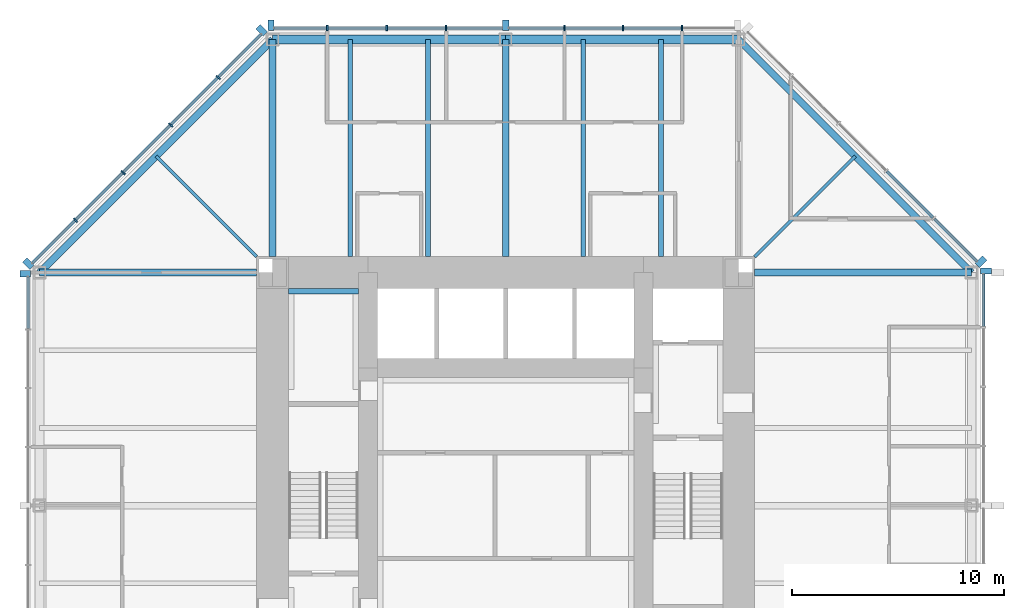
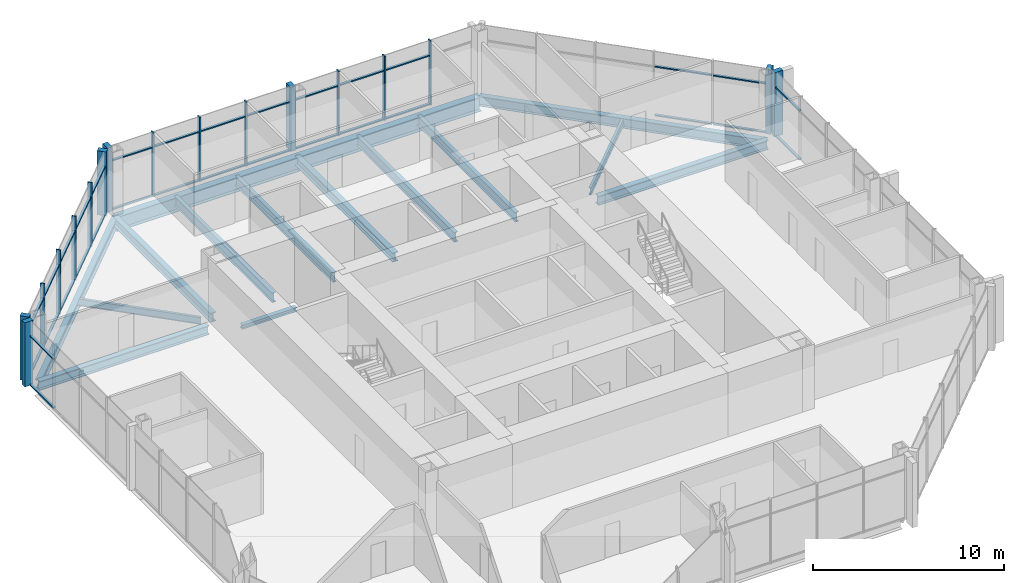
# One storey, part 5 of 12: 49 members, 15 beams, 5 elements without a shape of their own.
"""IFC4 building model written with IfcOpenShell, lengths in metres."""

from ifc_helpers import new_model, si_unit, direction, frame, origin, origin_2d, place, context, subcontext, project, spatial, rectangle, i_section, extrude, material, material_profile, profile_set, type_object, element, aggregate, save


model = new_model("IFC4")

# Units and contexts
model_context = context("Model", 3, precision=1e-05, world=origin(), true_north=direction((0.0, 1.0)))
body_context = subcontext(model_context, "Body", "Model", "MODEL_VIEW")
ifc_project = project(units=[si_unit("LENGTHUNIT", "METRE"), si_unit("AREAUNIT", "SQUARE_METRE"), si_unit("VOLUMEUNIT", "CUBIC_METRE"), si_unit("PLANEANGLEUNIT", "RADIAN"), si_unit("MASSUNIT", "GRAM", prefix="KILO")], contexts=[model_context])

# Site, building, storey
site_placement = place(None, origin())
site = spatial("IfcSite", under=ifc_project, at=site_placement, CompositionType="ELEMENT")
building_placement = place(site_placement, origin())
building = spatial("IfcBuilding", under=site, at=building_placement, Name="Trevanion Tower", CompositionType="ELEMENT")
storey_placement = place(building_placement, frame((0.0, 0.0, 158.199951171875)))
storey = spatial("IfcBuildingStorey", under=building, at=storey_placement, Name="L37", CompositionType="ELEMENT", Elevation=158.199951171875)

# Beams
ifc_material_1 = material(Name="Steel ASTM A992 Grade 50", Category="steel")
ifc_material_profile_1 = material_profile(ifc_material_1, i_section(OverallWidth=0.22900390625, OverallDepth=0.612060546875, WebThickness=0.011962890625, FlangeThickness=0.01953125, at=origin_2d()), Name="W24X84")
ifc_profile_set_1 = profile_set([ifc_material_profile_1], Name="Steel ASTM A992 Grade 50")
beam_type_1 = type_object("IfcBeamType", Name="B7 W24X84", PredefinedType="BEAM", material=ifc_profile_set_1)
for number, where, z_axis, x_axis, name in (
    (1, (7.333251953125, 11.75, -0.49609375), (0.0, 1.0, 0.0), (-1.0, 0.0, 0.0), "B7 L37"),
    (2, (3.666748046875, 11.75, -0.49609375), (0.0, 1.0, 0.0), (-1.0, 0.0, 0.0), "B7 L37"),
    (3, (-3.666748046875, 11.75, -0.49609375), (0.0, 1.0, 0.0), (-1.0, 0.0, 0.0), "B7 L37"),
    (4, (-7.333251953125, 11.75, -0.49609375), (0.0, 1.0, 0.0), (-1.0, 0.0, 0.0), "B7 L37"),
):
    element("IfcBeam", number, at=place(storey_placement, frame(where, z_axis=z_axis, x_axis=x_axis)), inside=storey, type_object=beam_type_1, Name=name, PredefinedType="BEAM", context=body_context, shape_type="SweptSolid", body=[
        extrude(i_section(OverallWidth=0.22900390625, OverallDepth=0.612060546875, WebThickness=0.011962890625, FlangeThickness=0.01953125, at=origin_2d()), origin(), (0.0, 0.0, 1.0), 10.25),
    ])
ifc_material_2 = material(Name="Steel ASTM A992 Grade 50", Category="steel")
ifc_material_profile_2 = material_profile(ifc_material_2, i_section(OverallWidth=0.15234375, OverallDepth=0.449462890625, WebThickness=0.007568359375, FlangeThickness=0.0107421875, at=origin_2d()), Name="W18X35")
ifc_profile_set_2 = profile_set([ifc_material_profile_2], Name="Steel ASTM A992 Grade 50")
beam_type_2 = type_object("IfcBeamType", Name="B8 W18X35", PredefinedType="BEAM", material=ifc_profile_set_2)
for number, where, z_axis, x_axis, name in (
    (5, (11.75, 11.75, -0.414794921875), (0.707106781187, 0.707106781187, 0.0), (-0.707106781187, 0.707106781187, 0.0), "B8 L37"),
    (6, (-11.75, 11.75, -0.414794921875), (-0.707106781187, 0.707106781187, 0.0), (-0.707106781187, -0.707106781187, 0.0), "B8 L37"),
):
    element("IfcBeam", number, at=place(storey_placement, frame(where, z_axis=z_axis, x_axis=x_axis)), inside=storey, type_object=beam_type_2, Name=name, PredefinedType="BEAM", context=body_context, shape_type="SweptSolid", body=[
        extrude(i_section(OverallWidth=0.15234375, OverallDepth=0.449462890625, WebThickness=0.007568359375, FlangeThickness=0.0107421875, at=origin_2d()), origin(), (0.0, 0.0, 1.0), 6.717529296875),
    ])

# Curtain wall, members
ifc_material_3 = material(Name="Aluminium and glass", Category="aluminium")
curtain_wall_type = type_object("IfcCurtainWallType", Name="CW2 curtain wall", PredefinedType="USERDEFINED", material=ifc_material_3)
curtain_wall_1_placement = place(storey_placement, origin())
curtain_wall_1 = element("IfcCurtainWall", 7, at=curtain_wall_1_placement, inside=storey, type_object=curtain_wall_type, Name="CW2 L37 2", ObjectType="UNITISED CURTAIN WALL", PredefinedType="USERDEFINED")
ifc_material_4 = material(Name="Aluminium extrusion, anodised bronze", Category="aluminium")
ifc_material_profile_3 = material_profile(ifc_material_4, rectangle(XDim=0.074951171875, YDim=0.25, at=origin_2d()), Name="CW2 mullion")
ifc_profile_set_3 = profile_set([ifc_material_profile_3], Name="Aluminium extrusion, anodised bronze")
member_type_1 = type_object("IfcMemberType", Name="CW2 mullion", PredefinedType="MULLION", material=ifc_profile_set_3)
member_1_placement = place(storey_placement, frame((8.323486328125, 22.550048828125, -0.18994140625), z_axis=(0.0, 0.0, 1.0), x_axis=(-1.0, 0.0, 0.0)))
member_1 = element("IfcMember", 8, at=member_1_placement, type_object=member_type_1, Name="CW2 mullion 2", PredefinedType="MULLION", context=body_context, shape_type="SweptSolid", body=[
    extrude(rectangle(XDim=0.074951171875, YDim=0.25, at=origin_2d()), origin(), (0.0, 0.0, 1.0), 4.10009765625),
])
member_2_placement = place(storey_placement, frame((5.548828125, 22.550048828125, -0.18994140625), z_axis=(0.0, 0.0, 1.0), x_axis=(-1.0, 0.0, 0.0)))
member_2 = element("IfcMember", 9, at=member_2_placement, type_object=member_type_1, Name="CW2 mullion 3", PredefinedType="MULLION", context=body_context, shape_type="SweptSolid", body=[
    extrude(rectangle(XDim=0.074951171875, YDim=0.25, at=origin_2d()), origin(), (0.0, 0.0, 1.0), 4.10009765625),
])
member_3_placement = place(storey_placement, frame((2.7744140625, 22.550048828125, -0.18994140625), z_axis=(0.0, 0.0, 1.0), x_axis=(-1.0, 0.0, 0.0)))
member_3 = element("IfcMember", 10, at=member_3_placement, type_object=member_type_1, Name="CW2 mullion 4", PredefinedType="MULLION", context=body_context, shape_type="SweptSolid", body=[
    extrude(rectangle(XDim=0.074951171875, YDim=0.25, at=origin_2d()), origin(), (0.0, 0.0, 1.0), 4.10009765625),
])
member_4_placement = place(storey_placement, frame((-2.806884765625, 22.550048828125, -0.18994140625), z_axis=(0.0, 0.0, 1.0), x_axis=(-1.0, 0.0, 0.0)))
member_4 = element("IfcMember", 11, at=member_4_placement, type_object=member_type_1, Name="CW2 mullion 6", PredefinedType="MULLION", context=body_context, shape_type="SweptSolid", body=[
    extrude(rectangle(XDim=0.074951171875, YDim=0.25, at=origin_2d()), origin(), (0.0, 0.0, 1.0), 4.10009765625),
])
member_5_placement = place(storey_placement, frame((-5.614013671875, 22.550048828125, -0.18994140625), z_axis=(0.0, 0.0, 1.0), x_axis=(-1.0, 0.0, 0.0)))
member_5 = element("IfcMember", 12, at=member_5_placement, type_object=member_type_1, Name="CW2 mullion 7", PredefinedType="MULLION", context=body_context, shape_type="SweptSolid", body=[
    extrude(rectangle(XDim=0.074951171875, YDim=0.25, at=origin_2d()), origin(), (0.0, 0.0, 1.0), 4.10009765625),
])
member_6_placement = place(storey_placement, frame((-8.4208984375, 22.550048828125, -0.18994140625), z_axis=(0.0, 0.0, 1.0), x_axis=(-1.0, 0.0, 0.0)))
member_6 = element("IfcMember", 13, at=member_6_placement, type_object=member_type_1, Name="CW2 mullion 8", PredefinedType="MULLION", context=body_context, shape_type="SweptSolid", body=[
    extrude(rectangle(XDim=0.074951171875, YDim=0.25, at=origin_2d()), origin(), (0.0, 0.0, 1.0), 4.10009765625),
])

curtain_wall_2_placement = place(storey_placement, origin())
curtain_wall_2 = element("IfcCurtainWall", 14, at=curtain_wall_2_placement, inside=storey, type_object=curtain_wall_type, Name="CW2 L37 3", ObjectType="UNITISED CURTAIN WALL", PredefinedType="USERDEFINED")
member_7_placement = place(storey_placement, frame((-13.56591796875, 20.2119140625, -0.18994140625), z_axis=(0.0, 0.0, 1.0), x_axis=(-0.707106781187, -0.707106781187, 0.0)))
member_7 = element("IfcMember", 15, at=member_7_placement, type_object=member_type_1, Name="CW2 mullion 2", PredefinedType="MULLION", context=body_context, shape_type="SweptSolid", body=[
    extrude(rectangle(XDim=0.074951171875, YDim=0.25, at=origin_2d()), origin(), (0.0, 0.0, 1.0), 4.10009765625),
])
member_8_placement = place(storey_placement, frame((-15.811767578125, 17.966064453125, -0.18994140625), z_axis=(0.0, 0.0, 1.0), x_axis=(-0.707106781187, -0.707106781187, 0.0)))
member_8 = element("IfcMember", 16, at=member_8_placement, type_object=member_type_1, Name="CW2 mullion 3", PredefinedType="MULLION", context=body_context, shape_type="SweptSolid", body=[
    extrude(rectangle(XDim=0.074951171875, YDim=0.25, at=origin_2d()), origin(), (0.0, 0.0, 1.0), 4.10009765625),
])
member_9_placement = place(storey_placement, frame((-18.057861328125, 15.719970703125, -0.18994140625), z_axis=(0.0, 0.0, 1.0), x_axis=(-0.707106781187, -0.707106781187, 0.0)))
member_9 = element("IfcMember", 17, at=member_9_placement, type_object=member_type_1, Name="CW2 mullion 4", PredefinedType="MULLION", context=body_context, shape_type="SweptSolid", body=[
    extrude(rectangle(XDim=0.074951171875, YDim=0.25, at=origin_2d()), origin(), (0.0, 0.0, 1.0), 4.10009765625),
])
member_10_placement = place(storey_placement, frame((-20.303955078125, 13.473876953125, -0.18994140625), z_axis=(0.0, 0.0, 1.0), x_axis=(-0.707106781187, -0.707106781187, 0.0)))
member_10 = element("IfcMember", 18, at=member_10_placement, type_object=member_type_1, Name="CW2 mullion 5", PredefinedType="MULLION", context=body_context, shape_type="SweptSolid", body=[
    extrude(rectangle(XDim=0.074951171875, YDim=0.25, at=origin_2d()), origin(), (0.0, 0.0, 1.0), 4.10009765625),
])

# Curtain wall, member
curtain_wall_3_placement = place(storey_placement, origin())
curtain_wall_3 = element("IfcCurtainWall", 19, at=curtain_wall_3_placement, inside=storey, type_object=curtain_wall_type, Name="CW2 L37 0", ObjectType="UNITISED CURTAIN WALL", PredefinedType="USERDEFINED")
ifc_material_5 = material(Name="Aluminium extrusion, anodised bronze", Category="aluminium")
ifc_material_profile_4 = material_profile(ifc_material_5, rectangle(XDim=0.300048828125, YDim=0.5, at=origin_2d()), Name="CW2 pier mullion")
ifc_profile_set_4 = profile_set([ifc_material_profile_4], Name="Aluminium extrusion, anodised bronze")
member_type_2 = type_object("IfcMemberType", Name="CW2 pier mullion", PredefinedType="MULLION", material=ifc_profile_set_4)
member_11_placement = place(storey_placement, frame((22.675048828125, 11.077880859375, -0.18994140625), z_axis=(0.0, 0.0, 1.0), x_axis=(0.0, 1.0, 0.0)))
member_11 = element("IfcMember", 20, at=member_11_placement, type_object=member_type_2, Name="CW2 pier mullion 9", PredefinedType="MULLION", context=body_context, shape_type="SweptSolid", body=[
    extrude(rectangle(XDim=0.300048828125, YDim=0.5, at=origin_2d()), origin(), (0.0, 0.0, 1.0), 4.10009765625),
])

curtain_wall_4_placement = place(storey_placement, origin())
curtain_wall_4 = element("IfcCurtainWall", 21, at=curtain_wall_4_placement, inside=storey, type_object=curtain_wall_type, Name="CW2 L37 1", ObjectType="UNITISED CURTAIN WALL", PredefinedType="USERDEFINED")
member_12_placement = place(storey_placement, frame((22.4404296875, 11.51416015625, -0.18994140625), z_axis=(0.0, 0.0, 1.0), x_axis=(-0.707106781187, 0.707106781187, 0.0)))
member_12 = element("IfcMember", 22, at=member_12_placement, type_object=member_type_2, Name="CW2 pier mullion 1", PredefinedType="MULLION", context=body_context, shape_type="SweptSolid", body=[
    extrude(rectangle(XDim=0.300048828125, YDim=0.5, at=origin_2d()), origin(), (0.0, 0.0, 1.0), 4.10009765625),
])

# Member
member_13_placement = place(storey_placement, frame((0.0, 22.675048828125, -0.18994140625), z_axis=(0.0, 0.0, 1.0), x_axis=(-1.0, 0.0, 0.0)))
member_13 = element("IfcMember", 23, at=member_13_placement, type_object=member_type_2, Name="CW2 pier mullion 5", PredefinedType="MULLION", context=body_context, shape_type="SweptSolid", body=[
    extrude(rectangle(XDim=0.300048828125, YDim=0.5, at=origin_2d()), origin(), (0.0, 0.0, 1.0), 4.10009765625),
])

member_14_placement = place(storey_placement, frame((-11.077880859375, 22.675048828125, -0.18994140625), z_axis=(0.0, 0.0, 1.0), x_axis=(-1.0, 0.0, 0.0)))
member_14 = element("IfcMember", 24, at=member_14_placement, type_object=member_type_2, Name="CW2 pier mullion 9", PredefinedType="MULLION", context=body_context, shape_type="SweptSolid", body=[
    extrude(rectangle(XDim=0.300048828125, YDim=0.5, at=origin_2d()), origin(), (0.0, 0.0, 1.0), 4.10009765625),
])

member_15_placement = place(storey_placement, frame((-11.51416015625, 22.4404296875, -0.18994140625), z_axis=(0.0, 0.0, 1.0), x_axis=(-0.707106781187, -0.707106781187, 0.0)))
member_15 = element("IfcMember", 25, at=member_15_placement, type_object=member_type_2, Name="CW2 pier mullion 1", PredefinedType="MULLION", context=body_context, shape_type="SweptSolid", body=[
    extrude(rectangle(XDim=0.300048828125, YDim=0.5, at=origin_2d()), origin(), (0.0, 0.0, 1.0), 4.10009765625),
])

member_16_placement = place(storey_placement, frame((-22.5322265625, 11.42236328125, -0.18994140625), z_axis=(0.0, 0.0, 1.0), x_axis=(-0.707106781187, -0.707106781187, 0.0)))
member_16 = element("IfcMember", 26, at=member_16_placement, type_object=member_type_2, Name="CW2 pier mullion 6", PredefinedType="MULLION", context=body_context, shape_type="SweptSolid", body=[
    extrude(rectangle(XDim=0.300048828125, YDim=0.5, at=origin_2d()), origin(), (0.0, 0.0, 1.0), 4.10009765625),
])

# Curtain wall, member
curtain_wall_5_placement = place(storey_placement, origin())
curtain_wall_5 = element("IfcCurtainWall", 27, at=curtain_wall_5_placement, inside=storey, type_object=curtain_wall_type, Name="CW2 L37 4", ObjectType="UNITISED CURTAIN WALL", PredefinedType="USERDEFINED")
member_17_placement = place(storey_placement, frame((-22.675048828125, 10.94775390625, -0.18994140625), z_axis=(0.0, 0.0, 1.0), x_axis=(0.0, -1.0, 0.0)))
member_17 = element("IfcMember", 28, at=member_17_placement, type_object=member_type_2, Name="CW2 pier mullion 1", PredefinedType="MULLION", context=body_context, shape_type="SweptSolid", body=[
    extrude(rectangle(XDim=0.300048828125, YDim=0.5, at=origin_2d()), origin(), (0.0, 0.0, 1.0), 4.10009765625),
])

# Member
ifc_material_6 = material(Name="Aluminium extrusion, anodised bronze", Category="aluminium")
ifc_material_profile_5 = material_profile(ifc_material_6, rectangle(XDim=0.14990234375, YDim=0.074951171875, at=origin_2d()), Name="CW2 transom")
ifc_profile_set_5 = profile_set([ifc_material_profile_5], Name="Aluminium extrusion, anodised bronze")
member_type_3 = type_object("IfcMemberType", Name="CW2 transom", PredefinedType="USERDEFINED", material=ifc_profile_set_5)
member_18_placement = place(storey_placement, frame((22.550048828125, 8.45849609375, -0.15234375), z_axis=(0.0, 1.0, 0.0), x_axis=(-1.0, 0.0, 0.0)))
member_18 = element("IfcMember", 29, at=member_18_placement, type_object=member_type_3, Name="CW2 transom 8.1", ObjectType="TRANSOM", PredefinedType="USERDEFINED", context=body_context, shape_type="SweptSolid", body=[
    extrude(rectangle(XDim=0.14990234375, YDim=0.074951171875, at=origin_2d()), origin(), (0.0, 0.0, 1.0), 2.46923828125),
])

member_19_placement = place(storey_placement, frame((22.550048828125, 8.45849609375, 2.9599609375), z_axis=(0.0, 1.0, 0.0), x_axis=(-1.0, 0.0, 0.0)))
member_19 = element("IfcMember", 30, at=member_19_placement, type_object=member_type_3, Name="CW2 transom 8.2", ObjectType="TRANSOM", PredefinedType="USERDEFINED", context=body_context, shape_type="SweptSolid", body=[
    extrude(rectangle(XDim=0.14990234375, YDim=0.074951171875, at=origin_2d()), origin(), (0.0, 0.0, 1.0), 2.46923828125),
])

aggregate(curtain_wall_3, [member_11, member_18, member_19])

member_20_placement = place(storey_placement, frame((22.245849609375, 11.531982421875, -0.15234375), z_axis=(-0.707106781187, 0.707106781187, 0.0), x_axis=(-0.707106781187, -0.707106781187, 0.0)))
member_20 = element("IfcMember", 31, at=member_20_placement, type_object=member_type_3, Name="CW2 transom 1.1", ObjectType="TRANSOM", PredefinedType="USERDEFINED", context=body_context, shape_type="SweptSolid", body=[
    extrude(rectangle(XDim=0.14990234375, YDim=0.074951171875, at=origin_2d()), origin(), (0.0, 0.0, 1.0), 2.8388671875),
])

member_21_placement = place(storey_placement, frame((22.245849609375, 11.531982421875, 2.9599609375), z_axis=(-0.707106781187, 0.707106781187, 0.0), x_axis=(-0.707106781187, -0.707106781187, 0.0)))
member_21 = element("IfcMember", 32, at=member_21_placement, type_object=member_type_3, Name="CW2 transom 1.2", ObjectType="TRANSOM", PredefinedType="USERDEFINED", context=body_context, shape_type="SweptSolid", body=[
    extrude(rectangle(XDim=0.14990234375, YDim=0.074951171875, at=origin_2d()), origin(), (0.0, 0.0, 1.0), 2.8388671875),
])

member_22_placement = place(storey_placement, frame((20.185546875, 13.59228515625, -0.15234375), z_axis=(-0.707106781187, 0.707106781187, 0.0), x_axis=(-0.707106781187, -0.707106781187, 0.0)))
member_22 = element("IfcMember", 33, at=member_22_placement, type_object=member_type_3, Name="CW2 transom 2.1", ObjectType="TRANSOM", PredefinedType="USERDEFINED", context=body_context, shape_type="SweptSolid", body=[
    extrude(rectangle(XDim=0.14990234375, YDim=0.074951171875, at=origin_2d()), origin(), (0.0, 0.0, 1.0), 3.1015625),
])

member_23_placement = place(storey_placement, frame((20.185546875, 13.59228515625, 2.9599609375), z_axis=(-0.707106781187, 0.707106781187, 0.0), x_axis=(-0.707106781187, -0.707106781187, 0.0)))
member_23 = element("IfcMember", 34, at=member_23_placement, type_object=member_type_3, Name="CW2 transom 2.2", ObjectType="TRANSOM", PredefinedType="USERDEFINED", context=body_context, shape_type="SweptSolid", body=[
    extrude(rectangle(XDim=0.14990234375, YDim=0.074951171875, at=origin_2d()), origin(), (0.0, 0.0, 1.0), 3.1015625),
])

aggregate(curtain_wall_4, [member_12, member_20, member_21, member_22, member_23])

member_24_placement = place(storey_placement, frame((8.285888671875, 22.550048828125, -0.15234375), z_axis=(-1.0, 0.0, 0.0), x_axis=(0.0, -1.0, 0.0)))
member_24 = element("IfcMember", 35, at=member_24_placement, type_object=member_type_3, Name="CW2 transom 2.1", ObjectType="TRANSOM", PredefinedType="USERDEFINED", context=body_context, shape_type="SweptSolid", body=[
    extrude(rectangle(XDim=0.14990234375, YDim=0.074951171875, at=origin_2d()), origin(), (0.0, 0.0, 1.0), 2.699462890625),
])

member_25_placement = place(storey_placement, frame((8.285888671875, 22.550048828125, 2.9599609375), z_axis=(-1.0, 0.0, 0.0), x_axis=(0.0, -1.0, 0.0)))
member_25 = element("IfcMember", 36, at=member_25_placement, type_object=member_type_3, Name="CW2 transom 2.2", ObjectType="TRANSOM", PredefinedType="USERDEFINED", context=body_context, shape_type="SweptSolid", body=[
    extrude(rectangle(XDim=0.14990234375, YDim=0.074951171875, at=origin_2d()), origin(), (0.0, 0.0, 1.0), 2.699462890625),
])

member_26_placement = place(storey_placement, frame((5.511474609375, 22.550048828125, -0.15234375), z_axis=(-1.0, 0.0, 0.0), x_axis=(0.0, -1.0, 0.0)))
member_26 = element("IfcMember", 37, at=member_26_placement, type_object=member_type_3, Name="CW2 transom 3.1", ObjectType="TRANSOM", PredefinedType="USERDEFINED", context=body_context, shape_type="SweptSolid", body=[
    extrude(rectangle(XDim=0.14990234375, YDim=0.074951171875, at=origin_2d()), origin(), (0.0, 0.0, 1.0), 2.699462890625),
])

member_27_placement = place(storey_placement, frame((5.511474609375, 22.550048828125, 2.9599609375), z_axis=(-1.0, 0.0, 0.0), x_axis=(0.0, -1.0, 0.0)))
member_27 = element("IfcMember", 38, at=member_27_placement, type_object=member_type_3, Name="CW2 transom 3.2", ObjectType="TRANSOM", PredefinedType="USERDEFINED", context=body_context, shape_type="SweptSolid", body=[
    extrude(rectangle(XDim=0.14990234375, YDim=0.074951171875, at=origin_2d()), origin(), (0.0, 0.0, 1.0), 2.699462890625),
])

member_28_placement = place(storey_placement, frame((2.737060546875, 22.550048828125, -0.15234375), z_axis=(-1.0, 0.0, 0.0), x_axis=(0.0, -1.0, 0.0)))
member_28 = element("IfcMember", 39, at=member_28_placement, type_object=member_type_3, Name="CW2 transom 4.1", ObjectType="TRANSOM", PredefinedType="USERDEFINED", context=body_context, shape_type="SweptSolid", body=[
    extrude(rectangle(XDim=0.14990234375, YDim=0.074951171875, at=origin_2d()), origin(), (0.0, 0.0, 1.0), 2.587158203125),
])

member_29_placement = place(storey_placement, frame((2.737060546875, 22.550048828125, 2.9599609375), z_axis=(-1.0, 0.0, 0.0), x_axis=(0.0, -1.0, 0.0)))
member_29 = element("IfcMember", 40, at=member_29_placement, type_object=member_type_3, Name="CW2 transom 4.2", ObjectType="TRANSOM", PredefinedType="USERDEFINED", context=body_context, shape_type="SweptSolid", body=[
    extrude(rectangle(XDim=0.14990234375, YDim=0.074951171875, at=origin_2d()), origin(), (0.0, 0.0, 1.0), 2.587158203125),
])

member_30_placement = place(storey_placement, frame((-0.14990234375, 22.550048828125, -0.15234375), z_axis=(-1.0, 0.0, 0.0), x_axis=(0.0, -1.0, 0.0)))
member_30 = element("IfcMember", 41, at=member_30_placement, type_object=member_type_3, Name="CW2 transom 5.1", ObjectType="TRANSOM", PredefinedType="USERDEFINED", context=body_context, shape_type="SweptSolid", body=[
    extrude(rectangle(XDim=0.14990234375, YDim=0.074951171875, at=origin_2d()), origin(), (0.0, 0.0, 1.0), 2.619384765625),
])

member_31_placement = place(storey_placement, frame((-0.14990234375, 22.550048828125, 2.9599609375), z_axis=(-1.0, 0.0, 0.0), x_axis=(0.0, -1.0, 0.0)))
member_31 = element("IfcMember", 42, at=member_31_placement, type_object=member_type_3, Name="CW2 transom 5.2", ObjectType="TRANSOM", PredefinedType="USERDEFINED", context=body_context, shape_type="SweptSolid", body=[
    extrude(rectangle(XDim=0.14990234375, YDim=0.074951171875, at=origin_2d()), origin(), (0.0, 0.0, 1.0), 2.619384765625),
])

member_32_placement = place(storey_placement, frame((-2.844482421875, 22.550048828125, -0.15234375), z_axis=(-1.0, 0.0, 0.0), x_axis=(0.0, -1.0, 0.0)))
member_32 = element("IfcMember", 43, at=member_32_placement, type_object=member_type_3, Name="CW2 transom 6.1", ObjectType="TRANSOM", PredefinedType="USERDEFINED", context=body_context, shape_type="SweptSolid", body=[
    extrude(rectangle(XDim=0.14990234375, YDim=0.074951171875, at=origin_2d()), origin(), (0.0, 0.0, 1.0), 2.73193359375),
])

member_33_placement = place(storey_placement, frame((-2.844482421875, 22.550048828125, 2.9599609375), z_axis=(-1.0, 0.0, 0.0), x_axis=(0.0, -1.0, 0.0)))
member_33 = element("IfcMember", 44, at=member_33_placement, type_object=member_type_3, Name="CW2 transom 6.2", ObjectType="TRANSOM", PredefinedType="USERDEFINED", context=body_context, shape_type="SweptSolid", body=[
    extrude(rectangle(XDim=0.14990234375, YDim=0.074951171875, at=origin_2d()), origin(), (0.0, 0.0, 1.0), 2.73193359375),
])

member_34_placement = place(storey_placement, frame((-5.6513671875, 22.550048828125, -0.15234375), z_axis=(-1.0, 0.0, 0.0), x_axis=(0.0, -1.0, 0.0)))
member_34 = element("IfcMember", 45, at=member_34_placement, type_object=member_type_3, Name="CW2 transom 7.1", ObjectType="TRANSOM", PredefinedType="USERDEFINED", context=body_context, shape_type="SweptSolid", body=[
    extrude(rectangle(XDim=0.14990234375, YDim=0.074951171875, at=origin_2d()), origin(), (0.0, 0.0, 1.0), 2.73193359375),
])

member_35_placement = place(storey_placement, frame((-5.6513671875, 22.550048828125, 2.9599609375), z_axis=(-1.0, 0.0, 0.0), x_axis=(0.0, -1.0, 0.0)))
member_35 = element("IfcMember", 46, at=member_35_placement, type_object=member_type_3, Name="CW2 transom 7.2", ObjectType="TRANSOM", PredefinedType="USERDEFINED", context=body_context, shape_type="SweptSolid", body=[
    extrude(rectangle(XDim=0.14990234375, YDim=0.074951171875, at=origin_2d()), origin(), (0.0, 0.0, 1.0), 2.73193359375),
])

member_36_placement = place(storey_placement, frame((-8.45849609375, 22.550048828125, -0.15234375), z_axis=(-1.0, 0.0, 0.0), x_axis=(0.0, -1.0, 0.0)))
member_36 = element("IfcMember", 47, at=member_36_placement, type_object=member_type_3, Name="CW2 transom 8.1", ObjectType="TRANSOM", PredefinedType="USERDEFINED", context=body_context, shape_type="SweptSolid", body=[
    extrude(rectangle(XDim=0.14990234375, YDim=0.074951171875, at=origin_2d()), origin(), (0.0, 0.0, 1.0), 2.46923828125),
])

member_37_placement = place(storey_placement, frame((-8.45849609375, 22.550048828125, 2.9599609375), z_axis=(-1.0, 0.0, 0.0), x_axis=(0.0, -1.0, 0.0)))
member_37 = element("IfcMember", 48, at=member_37_placement, type_object=member_type_3, Name="CW2 transom 8.2", ObjectType="TRANSOM", PredefinedType="USERDEFINED", context=body_context, shape_type="SweptSolid", body=[
    extrude(rectangle(XDim=0.14990234375, YDim=0.074951171875, at=origin_2d()), origin(), (0.0, 0.0, 1.0), 2.46923828125),
])

aggregate(curtain_wall_1, [member_1, member_2, member_3, member_13, member_4, member_5, member_6, member_14, member_24, member_25, member_26, member_27, member_28, member_29, member_30, member_31, member_32, member_33, member_34, member_35, member_36, member_37])

member_38_placement = place(storey_placement, frame((-11.531982421875, 22.245849609375, -0.15234375), z_axis=(-0.707106781187, -0.707106781187, 0.0), x_axis=(0.707106781187, -0.707106781187, 0.0)))
member_38 = element("IfcMember", 49, at=member_38_placement, type_object=member_type_3, Name="CW2 transom 1.1", ObjectType="TRANSOM", PredefinedType="USERDEFINED", context=body_context, shape_type="SweptSolid", body=[
    extrude(rectangle(XDim=0.14990234375, YDim=0.074951171875, at=origin_2d()), origin(), (0.0, 0.0, 1.0), 2.8388671875),
])

member_39_placement = place(storey_placement, frame((-11.531982421875, 22.245849609375, 2.9599609375), z_axis=(-0.707106781187, -0.707106781187, 0.0), x_axis=(0.707106781187, -0.707106781187, 0.0)))
member_39 = element("IfcMember", 50, at=member_39_placement, type_object=member_type_3, Name="CW2 transom 1.2", ObjectType="TRANSOM", PredefinedType="USERDEFINED", context=body_context, shape_type="SweptSolid", body=[
    extrude(rectangle(XDim=0.14990234375, YDim=0.074951171875, at=origin_2d()), origin(), (0.0, 0.0, 1.0), 2.8388671875),
])

member_40_placement = place(storey_placement, frame((-13.59228515625, 20.185546875, -0.15234375), z_axis=(-0.707106781187, -0.707106781187, 0.0), x_axis=(0.707106781187, -0.707106781187, 0.0)))
member_40 = element("IfcMember", 51, at=member_40_placement, type_object=member_type_3, Name="CW2 transom 2.1", ObjectType="TRANSOM", PredefinedType="USERDEFINED", context=body_context, shape_type="SweptSolid", body=[
    extrude(rectangle(XDim=0.14990234375, YDim=0.074951171875, at=origin_2d()), origin(), (0.0, 0.0, 1.0), 3.1015625),
])

member_41_placement = place(storey_placement, frame((-13.59228515625, 20.185546875, 2.9599609375), z_axis=(-0.707106781187, -0.707106781187, 0.0), x_axis=(0.707106781187, -0.707106781187, 0.0)))
member_41 = element("IfcMember", 52, at=member_41_placement, type_object=member_type_3, Name="CW2 transom 2.2", ObjectType="TRANSOM", PredefinedType="USERDEFINED", context=body_context, shape_type="SweptSolid", body=[
    extrude(rectangle(XDim=0.14990234375, YDim=0.074951171875, at=origin_2d()), origin(), (0.0, 0.0, 1.0), 3.1015625),
])

member_42_placement = place(storey_placement, frame((-15.83837890625, 17.939453125, -0.15234375), z_axis=(-0.707106781187, -0.707106781187, 0.0), x_axis=(0.707106781187, -0.707106781187, 0.0)))
member_42 = element("IfcMember", 53, at=member_42_placement, type_object=member_type_3, Name="CW2 transom 3.1", ObjectType="TRANSOM", PredefinedType="USERDEFINED", context=body_context, shape_type="SweptSolid", body=[
    extrude(rectangle(XDim=0.14990234375, YDim=0.074951171875, at=origin_2d()), origin(), (0.0, 0.0, 1.0), 3.1015625),
])

member_43_placement = place(storey_placement, frame((-15.83837890625, 17.939453125, 2.9599609375), z_axis=(-0.707106781187, -0.707106781187, 0.0), x_axis=(0.707106781187, -0.707106781187, 0.0)))
member_43 = element("IfcMember", 54, at=member_43_placement, type_object=member_type_3, Name="CW2 transom 3.2", ObjectType="TRANSOM", PredefinedType="USERDEFINED", context=body_context, shape_type="SweptSolid", body=[
    extrude(rectangle(XDim=0.14990234375, YDim=0.074951171875, at=origin_2d()), origin(), (0.0, 0.0, 1.0), 3.1015625),
])

member_44_placement = place(storey_placement, frame((-18.08447265625, 15.693359375, -0.15234375), z_axis=(-0.707106781187, -0.707106781187, 0.0), x_axis=(0.707106781187, -0.707106781187, 0.0)))
member_44 = element("IfcMember", 55, at=member_44_placement, type_object=member_type_3, Name="CW2 transom 4.1", ObjectType="TRANSOM", PredefinedType="USERDEFINED", context=body_context, shape_type="SweptSolid", body=[
    extrude(rectangle(XDim=0.14990234375, YDim=0.074951171875, at=origin_2d()), origin(), (0.0, 0.0, 1.0), 3.10107421875),
])

member_45_placement = place(storey_placement, frame((-18.08447265625, 15.693359375, 2.9599609375), z_axis=(-0.707106781187, -0.707106781187, 0.0), x_axis=(0.707106781187, -0.707106781187, 0.0)))
member_45 = element("IfcMember", 56, at=member_45_placement, type_object=member_type_3, Name="CW2 transom 4.2", ObjectType="TRANSOM", PredefinedType="USERDEFINED", context=body_context, shape_type="SweptSolid", body=[
    extrude(rectangle(XDim=0.14990234375, YDim=0.074951171875, at=origin_2d()), origin(), (0.0, 0.0, 1.0), 3.10107421875),
])

member_46_placement = place(storey_placement, frame((-20.33056640625, 13.447509765625, -0.15234375), z_axis=(-0.707063781595, -0.707149778163, 0.0), x_axis=(0.707149778163, -0.707063781595, 0.0)))
member_46 = element("IfcMember", 57, at=member_46_placement, type_object=member_type_3, Name="CW2 transom 5.1", ObjectType="TRANSOM", PredefinedType="USERDEFINED", context=body_context, shape_type="SweptSolid", body=[
    extrude(rectangle(XDim=0.14990234375, YDim=0.074951171875, at=origin_2d()), origin(), (0.0, 0.0, 1.0), 2.8388671875),
])

member_47_placement = place(storey_placement, frame((-20.33056640625, 13.447509765625, 2.9599609375), z_axis=(-0.707063781595, -0.707149778163, 0.0), x_axis=(0.707149778163, -0.707063781595, 0.0)))
member_47 = element("IfcMember", 58, at=member_47_placement, type_object=member_type_3, Name="CW2 transom 5.2", ObjectType="TRANSOM", PredefinedType="USERDEFINED", context=body_context, shape_type="SweptSolid", body=[
    extrude(rectangle(XDim=0.14990234375, YDim=0.074951171875, at=origin_2d()), origin(), (0.0, 0.0, 1.0), 2.8388671875),
])

aggregate(curtain_wall_2, [member_15, member_7, member_8, member_9, member_10, member_16, member_38, member_39, member_40, member_41, member_42, member_43, member_44, member_45, member_46, member_47])

member_48_placement = place(storey_placement, frame((-22.550048828125, 10.7978515625, -0.15234375), z_axis=(0.0, -1.0, 0.0), x_axis=(1.0, 0.0, 0.0)))
member_48 = element("IfcMember", 59, at=member_48_placement, type_object=member_type_3, Name="CW2 transom 1.1", ObjectType="TRANSOM", PredefinedType="USERDEFINED", context=body_context, shape_type="SweptSolid", body=[
    extrude(rectangle(XDim=0.14990234375, YDim=0.074951171875, at=origin_2d()), origin(), (0.0, 0.0, 1.0), 2.43701171875),
])

member_49_placement = place(storey_placement, frame((-22.550048828125, 10.7978515625, 2.9599609375), z_axis=(0.0, -1.0, 0.0), x_axis=(1.0, 0.0, 0.0)))
member_49 = element("IfcMember", 60, at=member_49_placement, type_object=member_type_3, Name="CW2 transom 1.2", ObjectType="TRANSOM", PredefinedType="USERDEFINED", context=body_context, shape_type="SweptSolid", body=[
    extrude(rectangle(XDim=0.14990234375, YDim=0.074951171875, at=origin_2d()), origin(), (0.0, 0.0, 1.0), 2.43701171875),
])

aggregate(curtain_wall_5, [member_17, member_48, member_49])

# Beams
ifc_material_7 = material(Name="Steel ASTM A992 Grade 50", Category="steel")
ifc_material_profile_6 = material_profile(ifc_material_7, i_section(OverallWidth=0.320068359375, OverallDepth=0.584228515625, WebThickness=0.023193359375, FlangeThickness=0.04150390625, at=origin_2d()), Name="W21X201")
ifc_profile_set_6 = profile_set([ifc_material_profile_6], Name="Steel ASTM A992 Grade 50")
beam_type_3 = type_object("IfcBeamType", Name="G4 W21X201", PredefinedType="BEAM", material=ifc_profile_set_6)
for number, where, z_axis, x_axis, name in (
    (61, (11.75, 11.0, -0.48193359375), (1.0, 0.0, 0.0), (0.0, 1.0, 0.0), "G4 L37"),
    (62, (0.0, 11.75, -0.48193359375), (0.0, 1.0, 0.0), (-1.0, 0.0, 0.0), "G4 L37"),
    (63, (-11.0, 11.75, -0.48193359375), (0.0, 1.0, 0.0), (-1.0, 0.0, 0.0), "G4 L37"),
    (64, (-11.75, 11.0, -0.48193359375), (-1.0, 0.0, 0.0), (0.0, -1.0, 0.0), "G4 L37"),
):
    element("IfcBeam", number, at=place(storey_placement, frame(where, z_axis=z_axis, x_axis=x_axis)), inside=storey, type_object=beam_type_3, Name=name, PredefinedType="BEAM", context=body_context, shape_type="SweptSolid", body=[
        extrude(i_section(OverallWidth=0.320068359375, OverallDepth=0.584228515625, WebThickness=0.023193359375, FlangeThickness=0.04150390625, at=origin_2d()), origin(), (0.0, 0.0, 1.0), 10.25),
    ])
ifc_material_8 = material(Name="Steel ASTM A992 Grade 50", Category="steel")
ifc_material_profile_7 = material_profile(ifc_material_8, i_section(OverallWidth=0.256591796875, OverallDepth=0.26416015625, WebThickness=0.011962890625, FlangeThickness=0.01953125, at=origin_2d()), Name="W10X68")
ifc_profile_set_7 = profile_set([ifc_material_profile_7], Name="Steel ASTM A992 Grade 50")
beam_type_4 = type_object("IfcBeamType", Name="LB1 W10X68", PredefinedType="BEAM", material=ifc_profile_set_7)
beam_placement = place(storey_placement, frame((-10.25, 10.12158203125, -0.33203125), z_axis=(1.0, 0.0, 0.0), x_axis=(0.0, 1.0, 0.0)))
element("IfcBeam", 65, at=beam_placement, inside=storey, type_object=beam_type_4, Name="LB1 L37", PredefinedType="BEAM", context=body_context, shape_type="SweptSolid", body=[
    extrude(i_section(OverallWidth=0.256591796875, OverallDepth=0.26416015625, WebThickness=0.011962890625, FlangeThickness=0.01953125, at=origin_2d()), origin(), (0.0, 0.0, 1.0), 3.300048828125),
])
ifc_material_9 = material(Name="Steel ASTM A992 Grade 50", Category="steel")
ifc_material_profile_8 = material_profile(ifc_material_9, i_section(OverallWidth=0.419189453125, OverallDepth=0.927001953125, WebThickness=0.019287109375, FlangeThickness=0.031982421875, at=origin_2d()), Name="W36X231")
ifc_profile_set_8 = profile_set([ifc_material_profile_8], Name="Steel ASTM A992 Grade 50")
beam_type_5 = type_object("IfcBeamType", Name="SB4 W36X231", PredefinedType="SPANDREL", material=ifc_profile_set_8)
for number, where, z_axis, x_axis, name in (
    (66, (11.0, 22.0, -0.653564453125), (-1.0, 0.0, 0.0), (0.0, -1.0, 0.0), "SB4 L37"),
    (67, (0.0, 22.0, -0.653564453125), (-1.0, 0.0, 0.0), (0.0, -1.0, 0.0), "SB4 L37"),
):
    element("IfcBeam", number, at=place(storey_placement, frame(where, z_axis=z_axis, x_axis=x_axis)), inside=storey, type_object=beam_type_5, Name=name, PredefinedType="SPANDREL", context=body_context, shape_type="SweptSolid", body=[
        extrude(i_section(OverallWidth=0.419189453125, OverallDepth=0.927001953125, WebThickness=0.019287109375, FlangeThickness=0.031982421875, at=origin_2d()), origin(), (0.0, 0.0, 1.0), 11.0),
    ])
ifc_material_10 = material(Name="Steel ASTM A992 Grade 50", Category="steel")
ifc_material_profile_9 = material_profile(ifc_material_10, i_section(OverallWidth=0.32763671875, OverallDepth=0.62744140625, WebThickness=0.0166015625, FlangeThickness=0.027587890625, at=origin_2d()), Name="W24X146")
ifc_profile_set_9 = profile_set([ifc_material_profile_9], Name="Steel ASTM A992 Grade 50")
beam_type_6 = type_object("IfcBeamType", Name="SB5 W24X146", PredefinedType="SPANDREL", material=ifc_profile_set_9)
for number, where, z_axis, x_axis, name in (
    (68, (22.0, 11.0, -0.503662109375), (-0.707106781187, 0.707106781187, 0.0), (-0.707106781187, -0.707106781187, 0.0), "SB5 L37"),
    (69, (-11.0, 22.0, -0.503662109375), (-0.707106781187, -0.707106781187, 0.0), (0.707106781187, -0.707106781187, 0.0), "SB5 L37"),
):
    element("IfcBeam", number, at=place(storey_placement, frame(where, z_axis=z_axis, x_axis=x_axis)), inside=storey, type_object=beam_type_6, Name=name, PredefinedType="SPANDREL", context=body_context, shape_type="SweptSolid", body=[
        extrude(i_section(OverallWidth=0.32763671875, OverallDepth=0.62744140625, WebThickness=0.0166015625, FlangeThickness=0.027587890625, at=origin_2d()), origin(), (0.0, 0.0, 1.0), 15.556396484375),
    ])

save(model, "model.ifc")
